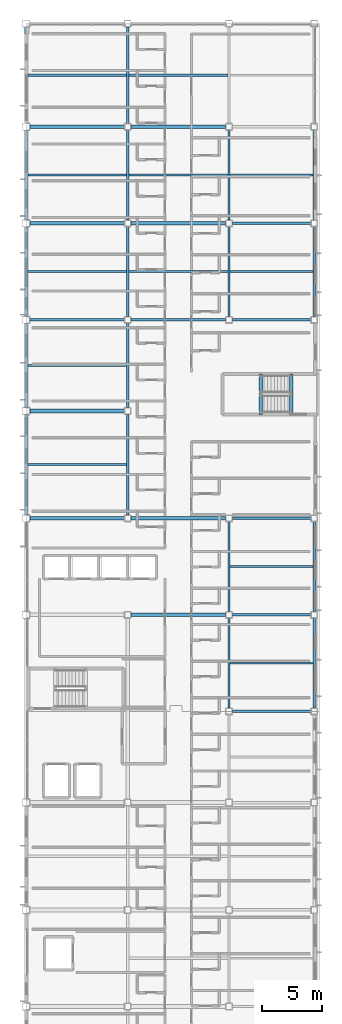
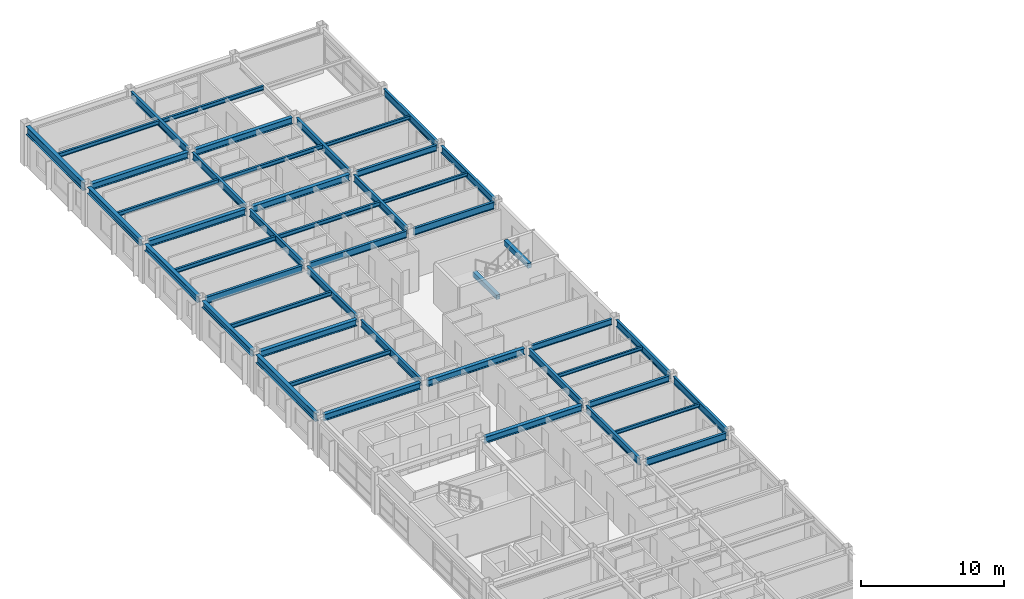
# One storey, part 17 of 38: 47 beams.
"""IFC4 building model written with IfcOpenShell, lengths in metres."""

import ifcopenshell
import ifcopenshell.guid

model = None  # the IFC model being written
_history = None  # IfcOwnerHistory: only IFC2X3 demands one
_inside = {}  # id of a spatial element -> (the spatial element, [elements in it])
_under = {}  # id of a project, library or spatial element -> (it, [spatial elements below it])
_declared = {}  # id of a project -> (the project, [libraries it declares])
_typed = {}  # id of a type object -> (the type object, [elements of that type])
_made_of = {}  # id of a material, layer set ... -> (it, [elements and type objects made of it])


def new_model(schema):
    """Start an empty IFC model of exactly this schema.

    Asked for "IFC4X3", IfcOpenShell would pick the latest addendum, in which some entities
    have other attributes; the version numbers below select the first issue.
    IFC2X3 requires an IfcOwnerHistory on every rooted entity: one is made here for all.
    """
    global model, _history
    if schema == "IFC4X3":
        model = ifcopenshell.file(schema_version=(4, 3, 0, 0))
    else:
        model = ifcopenshell.file(schema=schema)
    _inside.clear()
    _under.clear()
    _declared.clear()
    _typed.clear()
    _made_of.clear()
    _history = None
    if model.schema == "IFC2X3":
        org = make("IfcOrganization", Name="unknown")
        user = make(
            "IfcPersonAndOrganization",
            ThePerson=make("IfcPerson", FamilyName="unknown"),
            TheOrganization=org,
        )
        app = make(
            "IfcApplication",
            ApplicationDeveloper=org,
            Version="unknown",
            ApplicationFullName="unknown",
            ApplicationIdentifier="unknown",
        )
        _history = make(
            "IfcOwnerHistory",
            OwningUser=user,
            OwningApplication=app,
            ChangeAction="ADDED",
            CreationDate=0,
        )
    return model


def make(cls, **values):
    """One entity of the class cls with the attributes given. An attribute that is None is left unset."""
    return model.create_entity(
        cls, **{name: value for name, value in values.items() if value is not None}
    )


def rooted(cls, **values):
    """An entity with a GlobalId (a new one), such as an element, a storey or a relation."""
    return make(cls, GlobalId=ifcopenshell.guid.new(), OwnerHistory=_history, **values)


def si_unit(unit_type, name, prefix=None):
    """IfcSIUnit, for example si_unit("LENGTHUNIT", "METRE", prefix="MILLI")."""
    return make("IfcSIUnit", UnitType=unit_type, Prefix=prefix, Name=name)


def assignment(units):
    """IfcUnitAssignment: the units of a project."""
    return None if units is None else make("IfcUnitAssignment", Units=units)


def point(xyz):
    """IfcCartesianPoint."""
    return None if xyz is None else make("IfcCartesianPoint", Coordinates=xyz)


def direction(xyz):
    """IfcDirection."""
    return None if xyz is None else make("IfcDirection", DirectionRatios=xyz)


def frame(location, z_axis=None, x_axis=None):
    """IfcAxis2Placement3D, a coordinate frame: its origin and axes. An axis left out is left unset."""
    return make(
        "IfcAxis2Placement3D",
        Location=point(location),
        Axis=direction(z_axis),
        RefDirection=direction(x_axis),
    )


def frame_2d(location, x_axis=None):
    """IfcAxis2Placement2D, a coordinate frame in the plane: its origin and x axis."""
    return make(
        "IfcAxis2Placement2D", Location=point(location), RefDirection=direction(x_axis)
    )


def origin():
    """The frame at (0, 0, 0) with its axes left unset."""
    return frame((0.0, 0.0, 0.0))


def origin_2d():
    """The frame at (0, 0) in the plane with its x axis left unset."""
    return frame_2d((0.0, 0.0))


def place(relative_to, where):
    """IfcLocalPlacement: puts the frame where relative to a parent placement (None: the world)."""
    return make(
        "IfcLocalPlacement", PlacementRelTo=relative_to, RelativePlacement=where
    )


def context(
    kind, dimensions, precision=None, world=None, true_north=None, identifier=None
):
    """IfcGeometricRepresentationContext, for example the 3D "Model" context."""
    return make(
        "IfcGeometricRepresentationContext",
        ContextIdentifier=identifier,
        ContextType=kind,
        CoordinateSpaceDimension=dimensions,
        Precision=precision,
        WorldCoordinateSystem=world,
        TrueNorth=true_north,
    )


def subcontext(parent, identifier, kind, view, scale=None):
    """IfcGeometricRepresentationSubContext, for example "Body" below "Model"."""
    return make(
        "IfcGeometricRepresentationSubContext",
        ContextIdentifier=identifier,
        ContextType=kind,
        ParentContext=parent,
        TargetScale=scale,
        TargetView=view,
    )


def project(units=None, contexts=None):
    """IfcProject with its units and contexts."""
    return rooted(
        "IfcProject",
        Name="project",
        RepresentationContexts=contexts,
        UnitsInContext=assignment(units),
    )


def spatial(cls, under=None, at=None, **own):
    """A site, building, storey or space (cls), placed at a placement, below another one or the project."""
    s = rooted(cls, ObjectPlacement=at, **own)
    if under is not None:
        _under.setdefault(under.id(), (under, []))[1].append(s)
    return s


def profile(cls, at=None, kind="AREA", **sizes):
    """A parametric profile (cls). Its sizes go by their IFC names, for example OverallWidth=200.0."""
    return make(cls, ProfileType=kind, Position=at, **sizes)


def rectangle(**sizes):
    """IfcRectangleProfileDef."""
    return profile("IfcRectangleProfileDef", **sizes)


def i_section(**sizes):
    """IfcIShapeProfileDef."""
    return profile("IfcIShapeProfileDef", **sizes)


def extrude(swept, where, along, depth):
    """IfcExtrudedAreaSolid: the profile swept, set in the frame where, extruded along a direction by depth."""
    return make(
        "IfcExtrudedAreaSolid",
        SweptArea=swept,
        Position=where,
        ExtrudedDirection=direction(along),
        Depth=depth,
    )


def shape(context_of_items, identifier, shape_type, items):
    """IfcShapeRepresentation: the items that make up one representation, for example the "Body"."""
    return make(
        "IfcShapeRepresentation",
        ContextOfItems=context_of_items,
        RepresentationIdentifier=identifier,
        RepresentationType=shape_type,
        Items=items,
    )


def material(Name=None, Category=None):
    """IfcMaterial."""
    return make("IfcMaterial", Name=Name, Category=Category)


def material_profile(
    of_material, cross_section, Name=None, Category=None, Priority=None
):
    """IfcMaterialProfile: a cross section and its material."""
    return make(
        "IfcMaterialProfile",
        Name=Name,
        Material=of_material,
        Profile=cross_section,
        Priority=Priority,
        Category=Category,
    )


def profile_set(profiles, Name=None, composite=None):
    """IfcMaterialProfileSet."""
    return make(
        "IfcMaterialProfileSet",
        Name=Name,
        MaterialProfiles=profiles,
        CompositeProfile=composite,
    )


def made_of(thing, what):
    """Note that an element or type object is made of a material, layer set ...; save() writes the relation."""
    if what is not None:
        _made_of.setdefault(what.id(), (what, []))[1].append(thing)
    return thing


def type_object(cls, material=None, **own):
    """A type object (cls), such as IfcWallType, which elements share."""
    return made_of(rooted(cls, **own), material)


def element(
    cls,
    number,
    at=None,
    inside=None,
    cuts=None,
    type_object=None,
    material=None,
    context=None,
    identifier="Body",
    shape_type=None,
    held_by="IfcProductDefinitionShape",
    body=None,
    shapes=None,
    **own,
):
    """One element of the class cls, such as IfcWall. Its Tag is "e" and its number.

    at: its placement. inside: the storey or other place that contains it. cuts: it is an
    opening in that element (IfcRelVoidsElement). A single representation is given by context,
    identifier, shape_type and body (its items); several are given by shapes. held_by: the class
    of the entity that holds the representations. save() writes the other relations.
    """
    e = rooted(cls, Tag="e%d" % number, ObjectPlacement=at, **own)
    if body is not None:
        shapes = [shape(context, identifier, shape_type, body)]
    if shapes is not None:
        e.Representation = make(held_by, Representations=shapes)
    if inside is not None:
        _inside.setdefault(inside.id(), (inside, []))[1].append(e)
    if cuts is not None:
        rooted(
            "IfcRelVoidsElement", RelatingBuildingElement=cuts, RelatedOpeningElement=e
        )
    if type_object is not None:
        _typed.setdefault(type_object.id(), (type_object, []))[1].append(e)
    return made_of(e, material)


def aggregate(whole, parts):
    """IfcRelAggregates: a whole, such as a stair, and the parts it consists of."""
    return rooted("IfcRelAggregates", RelatingObject=whole, RelatedObjects=parts)


def save(model, path):
    """Write the relations noted so far, then the file.

    IfcRelAggregates (storeys below a building ...), IfcRelContainedInSpatialStructure (elements
    in a storey), IfcRelDefinesByType, IfcRelAssociatesMaterial and IfcRelDeclares: one each for
    every whole, place, type object, material and project.
    """
    for whole, parts in _under.values():
        aggregate(whole, parts)
    for where, things in _inside.values():
        rooted(
            "IfcRelContainedInSpatialStructure",
            RelatedElements=things,
            RelatingStructure=where,
        )
    for kind, things in _typed.values():
        rooted("IfcRelDefinesByType", RelatedObjects=things, RelatingType=kind)
    for what, things in _made_of.values():
        rooted("IfcRelAssociatesMaterial", RelatedObjects=things, RelatingMaterial=what)
    for by, libraries in _declared.values():
        rooted("IfcRelDeclares", RelatingContext=by, RelatedDefinitions=libraries)
    model.write(path)


model = new_model("IFC4")

# Units and contexts
model_context = context("Model", 3, precision=1e-05, world=origin(), true_north=direction((0.0, 1.0)))
body_context = subcontext(model_context, "Body", "Model", "MODEL_VIEW")
ifc_project = project(units=[si_unit("LENGTHUNIT", "METRE"), si_unit("AREAUNIT", "SQUARE_METRE"), si_unit("VOLUMEUNIT", "CUBIC_METRE"), si_unit("PLANEANGLEUNIT", "RADIAN"), si_unit("MASSUNIT", "GRAM", prefix="KILO")], contexts=[model_context])

# Site, building, storey
site_placement = place(None, origin())
site = spatial("IfcSite", under=ifc_project, at=site_placement, CompositionType="ELEMENT")
building_placement = place(site_placement, origin())
building = spatial("IfcBuilding", under=site, at=building_placement, Name="Kazehara Bluff Congress Hotel", CompositionType="ELEMENT")
storey_placement = place(building_placement, frame((0.0, 0.0, 24.60009765625)))
storey = spatial("IfcBuildingStorey", under=building, at=storey_placement, Name="L05", CompositionType="ELEMENT", Elevation=24.60009765625)

# Beams
ifc_material_1 = material(Name="Steel SN490B", Category="steel")
ifc_material_profile_1 = material_profile(ifc_material_1, i_section(OverallWidth=0.199951171875, OverallDepth=0.5, WebThickness=0.010009765625, FlangeThickness=0.01611328125, FilletRadius=0.012939453125, at=origin_2d()))
ifc_profile_set_1 = profile_set([ifc_material_profile_1], Name="Steel SN490B")
beam_type_1 = type_object("IfcBeamType", Name="TP-G-01", PredefinedType="BEAM", material=ifc_profile_set_1)
for number, where, z_axis, x_axis, name in (
    (1, (160.77490234375, 56.449951171875, 3.1298828125), (1.0, 0.0, 0.0), (0.0, 1.0, 0.0), "L05 girder G-01 65"),
    (2, (160.77490234375, 64.449951171875, 3.1298828125), (1.0, 0.0, 0.0), (0.0, 1.0, 0.0), "L05 girder G-01 68"),
    (3, (160.77490234375, 88.89990234375, 3.1298828125), (1.0, 0.0, 0.0), (0.0, 1.0, 0.0), "L05 girder G-01 75"),
):
    element("IfcBeam", number, at=place(storey_placement, frame(where, z_axis=z_axis, x_axis=x_axis)), inside=storey, type_object=beam_type_1, Name=name, PredefinedType="BEAM", context=body_context, shape_type="SweptSolid", body=[
        extrude(i_section(OverallWidth=0.199951171875, OverallDepth=0.5, WebThickness=0.010009765625, FlangeThickness=0.01611328125, FilletRadius=0.012939453125, at=origin_2d()), origin(), (0.0, 0.0, 1.0), 6.5),
    ])
ifc_material_2 = material(Name="Steel SN490B", Category="steel")
ifc_material_profile_2 = material_profile(ifc_material_2, i_section(OverallWidth=0.199951171875, OverallDepth=0.60009765625, WebThickness=0.010986328125, FlangeThickness=0.01708984375, FilletRadius=0.012939453125, at=origin_2d()))
ifc_profile_set_2 = profile_set([ifc_material_profile_2], Name="Steel SN490B")
beam_type_2 = type_object("IfcBeamType", Name="TP-G-02", PredefinedType="BEAM", material=ifc_profile_set_2)
beam_1_placement = place(storey_placement, frame((152.10009765625, 64.72509765625, 3.079833984375), z_axis=(0.0, 1.0, 0.0), x_axis=(-1.0, 0.0, 0.0)))
element("IfcBeam", 4, at=beam_1_placement, inside=storey, type_object=beam_type_2, Name="L05 girder G-02 19", PredefinedType="BEAM", context=body_context, shape_type="SweptSolid", body=[
    extrude(i_section(OverallWidth=0.199951171875, OverallDepth=0.60009765625, WebThickness=0.010986328125, FlangeThickness=0.01708984375, FilletRadius=0.012939453125, at=origin_2d()), origin(), (0.0, 0.0, 1.0), 8.349853515625),
])
beam_2_placement = place(storey_placement, frame((152.10009765625, 73.625, 3.079833984375), z_axis=(0.0, 1.0, 0.0), x_axis=(-1.0, 0.0, 0.0)))
element("IfcBeam", 5, at=beam_2_placement, inside=storey, type_object=beam_type_2, Name="L05 girder G-02 20", PredefinedType="BEAM", context=body_context, shape_type="SweptSolid", body=[
    extrude(i_section(OverallWidth=0.199951171875, OverallDepth=0.60009765625, WebThickness=0.010986328125, FlangeThickness=0.01708984375, FilletRadius=0.012939453125, at=origin_2d()), origin(), (0.0, 0.0, 1.0), 7.0),
])
for number, where, z_axis, x_axis, name in (
    (6, (152.10009765625, 81.175048828125, 3.079833984375), (0.0, 1.0, 0.0), (-1.0, 0.0, 0.0), "L05 girder G-02 21"),
    (7, (152.10009765625, 89.175048828125, 3.079833984375), (0.0, 1.0, 0.0), (-1.0, 0.0, 0.0), "L05 girder G-02 22"),
):
    element("IfcBeam", number, at=place(storey_placement, frame(where, z_axis=z_axis, x_axis=x_axis)), inside=storey, type_object=beam_type_2, Name=name, PredefinedType="BEAM", context=body_context, shape_type="SweptSolid", body=[
        extrude(i_section(OverallWidth=0.199951171875, OverallDepth=0.60009765625, WebThickness=0.010986328125, FlangeThickness=0.01708984375, FilletRadius=0.012939453125, at=origin_2d()), origin(), (0.0, 0.0, 1.0), 7.449951171875),
    ])
beam_3_placement = place(storey_placement, frame((152.10009765625, 97.175048828125, 3.079833984375), z_axis=(0.0, 1.0, 0.0), x_axis=(-1.0, 0.0, 0.0)))
element("IfcBeam", 8, at=beam_3_placement, inside=storey, type_object=beam_type_2, Name="L05 girder G-02 23", PredefinedType="BEAM", context=body_context, shape_type="SweptSolid", body=[
    extrude(i_section(OverallWidth=0.199951171875, OverallDepth=0.60009765625, WebThickness=0.010986328125, FlangeThickness=0.01708984375, FilletRadius=0.012939453125, at=origin_2d()), origin(), (0.0, 0.0, 1.0), 8.0),
])
for number, where, z_axis, x_axis, name in (
    (9, (160.5, 48.72509765625, 3.079833984375), (0.0, 1.0, 0.0), (-1.0, 0.0, 0.0), "L05 girder G-02 29"),
    (10, (160.5, 56.72509765625, 3.079833984375), (0.0, 1.0, 0.0), (-1.0, 0.0, 0.0), "L05 girder G-02 30"),
    (11, (160.5, 81.175048828125, 3.079833984375), (0.0, 1.0, 0.0), (-1.0, 0.0, 0.0), "L05 girder G-02 31"),
    (12, (160.5, 89.175048828125, 3.079833984375), (0.0, 1.0, 0.0), (-1.0, 0.0, 0.0), "L05 girder G-02 32"),
    (13, (167.550048828125, 48.72509765625, 3.079833984375), (0.0, 1.0, 0.0), (-1.0, 0.0, 0.0), "L05 girder G-02 39"),
    (14, (167.550048828125, 56.72509765625, 3.079833984375), (0.0, 1.0, 0.0), (-1.0, 0.0, 0.0), "L05 girder G-02 40"),
    (15, (167.550048828125, 81.175048828125, 3.079833984375), (0.0, 1.0, 0.0), (-1.0, 0.0, 0.0), "L05 girder G-02 41"),
    (16, (167.550048828125, 89.175048828125, 3.079833984375), (0.0, 1.0, 0.0), (-1.0, 0.0, 0.0), "L05 girder G-02 42"),
):
    element("IfcBeam", number, at=place(storey_placement, frame(where, z_axis=z_axis, x_axis=x_axis)), inside=storey, type_object=beam_type_2, Name=name, PredefinedType="BEAM", context=body_context, shape_type="SweptSolid", body=[
        extrude(i_section(OverallWidth=0.199951171875, OverallDepth=0.60009765625, WebThickness=0.010986328125, FlangeThickness=0.01708984375, FilletRadius=0.012939453125, at=origin_2d()), origin(), (0.0, 0.0, 1.0), 7.449951171875),
    ])
ifc_material_3 = material(Name="Steel SN490B", Category="steel")
ifc_material_profile_3 = material_profile(ifc_material_3, i_section(OverallWidth=0.300048828125, OverallDepth=0.550048828125, WebThickness=0.010986328125, FlangeThickness=0.01806640625, FilletRadius=0.012939453125, at=origin_2d()))
ifc_profile_set_3 = profile_set([ifc_material_profile_3], Name="Steel SN490B")
beam_type_3 = type_object("IfcBeamType", Name="TP-G-12", PredefinedType="BEAM", material=ifc_profile_set_3)
beam_4_placement = place(storey_placement, frame((152.375, 56.449951171875, 3.10498046875), z_axis=(1.0, 0.0, 0.0), x_axis=(0.0, 1.0, 0.0)))
element("IfcBeam", 17, at=beam_4_placement, inside=storey, type_object=beam_type_3, Name="L05 girder G-12 64", PredefinedType="BEAM", context=body_context, shape_type="SweptSolid", body=[
    extrude(i_section(OverallWidth=0.300048828125, OverallDepth=0.550048828125, WebThickness=0.010986328125, FlangeThickness=0.01806640625, FilletRadius=0.012939453125, at=origin_2d()), origin(), (0.0, 0.0, 1.0), 7.85009765625),
])
beam_5_placement = place(storey_placement, frame((144.0, 64.449951171875, 3.10498046875), z_axis=(1.0, 0.0, 0.0), x_axis=(0.0, 1.0, 0.0)))
element("IfcBeam", 18, at=beam_5_placement, inside=storey, type_object=beam_type_3, Name="L05 girder G-12 66", PredefinedType="BEAM", context=body_context, shape_type="SweptSolid", body=[
    extrude(i_section(OverallWidth=0.300048828125, OverallDepth=0.550048828125, WebThickness=0.010986328125, FlangeThickness=0.01806640625, FilletRadius=0.012939453125, at=origin_2d()), origin(), (0.0, 0.0, 1.0), 7.824951171875),
])
beam_6_placement = place(storey_placement, frame((152.375, 64.449951171875, 3.10498046875), z_axis=(1.0, 0.0, 0.0), x_axis=(0.0, 1.0, 0.0)))
element("IfcBeam", 19, at=beam_6_placement, inside=storey, type_object=beam_type_3, Name="L05 girder G-12 67", PredefinedType="BEAM", context=body_context, shape_type="SweptSolid", body=[
    extrude(i_section(OverallWidth=0.300048828125, OverallDepth=0.550048828125, WebThickness=0.010986328125, FlangeThickness=0.01806640625, FilletRadius=0.012939453125, at=origin_2d()), origin(), (0.0, 0.0, 1.0), 7.85009765625),
])
for number, where, z_axis, x_axis, name in (
    (20, (144.0, 73.35009765625, 3.10498046875), (1.0, 0.0, 0.0), (0.0, 1.0, 0.0), "L05 girder G-12 69"),
    (21, (144.0, 88.89990234375, 3.10498046875), (1.0, 0.0, 0.0), (0.0, 1.0, 0.0), "L05 girder G-12 73"),
):
    element("IfcBeam", number, at=place(storey_placement, frame(where, z_axis=z_axis, x_axis=x_axis)), inside=storey, type_object=beam_type_3, Name=name, PredefinedType="BEAM", context=body_context, shape_type="SweptSolid", body=[
        extrude(i_section(OverallWidth=0.300048828125, OverallDepth=0.550048828125, WebThickness=0.010986328125, FlangeThickness=0.01806640625, FilletRadius=0.012939453125, at=origin_2d()), origin(), (0.0, 0.0, 1.0), 7.824951171875),
    ])
beam_7_placement = place(storey_placement, frame((152.375, 88.89990234375, 3.10498046875), z_axis=(1.0, 0.0, 0.0), x_axis=(0.0, 1.0, 0.0)))
element("IfcBeam", 22, at=beam_7_placement, inside=storey, type_object=beam_type_3, Name="L05 girder G-12 74", PredefinedType="BEAM", context=body_context, shape_type="SweptSolid", body=[
    extrude(i_section(OverallWidth=0.300048828125, OverallDepth=0.550048828125, WebThickness=0.010986328125, FlangeThickness=0.01806640625, FilletRadius=0.012939453125, at=origin_2d()), origin(), (0.0, 0.0, 1.0), 7.85009765625),
])
beam_8_placement = place(storey_placement, frame((144.0, 96.89990234375, 3.10498046875), z_axis=(1.0, 0.0, 0.0), x_axis=(0.0, 1.0, 0.0)))
element("IfcBeam", 23, at=beam_8_placement, inside=storey, type_object=beam_type_3, Name="L05 girder G-12 76", PredefinedType="BEAM", context=body_context, shape_type="SweptSolid", body=[
    extrude(i_section(OverallWidth=0.300048828125, OverallDepth=0.550048828125, WebThickness=0.010986328125, FlangeThickness=0.01806640625, FilletRadius=0.012939453125, at=origin_2d()), origin(), (0.0, 0.0, 1.0), 7.824951171875),
])
beam_9_placement = place(storey_placement, frame((152.375, 96.89990234375, 3.10498046875), z_axis=(1.0, 0.0, 0.0), x_axis=(0.0, 1.0, 0.0)))
element("IfcBeam", 24, at=beam_9_placement, inside=storey, type_object=beam_type_3, Name="L05 girder G-12 77", PredefinedType="BEAM", context=body_context, shape_type="SweptSolid", body=[
    extrude(i_section(OverallWidth=0.300048828125, OverallDepth=0.550048828125, WebThickness=0.010986328125, FlangeThickness=0.01806640625, FilletRadius=0.012939453125, at=origin_2d()), origin(), (0.0, 0.0, 1.0), 7.85009765625),
])
ifc_material_4 = material(Name="Steel SN400B", Category="steel")
ifc_material_profile_4 = material_profile(ifc_material_4, i_section(OverallWidth=0.14990234375, OverallDepth=0.300048828125, WebThickness=0.006591796875, FlangeThickness=0.009033203125, FilletRadius=0.012939453125, at=origin_2d()))
ifc_profile_set_4 = profile_set([ifc_material_profile_4], Name="Steel SN400B")
beam_type_4 = type_object("IfcBeamType", Name="TP-J-01", PredefinedType="JOIST", material=ifc_profile_set_4)
for number, where, z_axis, x_axis, name in (
    (25, (160.60009765625, 52.449951171875, 3.22998046875), (1.0, 0.0, 0.0), (0.0, 1.0, 0.0), "L05 secondary joist J-01 22"),
    (26, (160.60009765625, 60.449951171875, 3.22998046875), (1.0, 0.0, 0.0), (0.0, 1.0, 0.0), "L05 secondary joist J-01 23"),
    (27, (160.60009765625, 84.89990234375, 3.22998046875), (1.0, 0.0, 0.0), (0.0, 1.0, 0.0), "L05 secondary joist J-01 24"),
    (28, (160.60009765625, 92.89990234375, 3.22998046875), (1.0, 0.0, 0.0), (0.0, 1.0, 0.0), "L05 secondary joist J-01 25"),
):
    element("IfcBeam", number, at=place(storey_placement, frame(where, z_axis=z_axis, x_axis=x_axis)), inside=storey, type_object=beam_type_4, Name=name, PredefinedType="JOIST", context=body_context, shape_type="SweptSolid", body=[
        extrude(i_section(OverallWidth=0.14990234375, OverallDepth=0.300048828125, WebThickness=0.006591796875, FlangeThickness=0.009033203125, FilletRadius=0.012939453125, at=origin_2d()), origin(), (0.0, 0.0, 1.0), 6.849853515625),
    ])
ifc_material_5 = material(Name="Steel SN400B", Category="steel")
ifc_material_profile_5 = material_profile(ifc_material_5, i_section(OverallWidth=0.175048828125, OverallDepth=0.35009765625, WebThickness=0.007080078125, FlangeThickness=0.010986328125, FilletRadius=0.012939453125, at=origin_2d()))
ifc_profile_set_5 = profile_set([ifc_material_profile_5], Name="Steel SN400B")
beam_type_5 = type_object("IfcBeamType", Name="TP-J-02", PredefinedType="JOIST", material=ifc_profile_set_5)
for number, where, z_axis, x_axis, name in (
    (29, (143.85009765625, 68.89990234375, 3.204833984375), (1.0, 0.0, 0.0), (0.0, 1.0, 0.0), "L05 secondary joist J-02 5"),
    (30, (143.85009765625, 77.125, 3.204833984375), (1.0, 0.0, 0.0), (0.0, 1.0, 0.0), "L05 secondary joist J-02 6"),
    (31, (143.85009765625, 84.89990234375, 3.204833984375), (1.0, 0.0, 0.0), (0.0, 1.0, 0.0), "L05 secondary joist J-02 7"),
    (32, (143.85009765625, 92.89990234375, 3.204833984375), (1.0, 0.0, 0.0), (0.0, 1.0, 0.0), "L05 secondary joist J-02 8"),
    (33, (143.85009765625, 101.175048828125, 3.204833984375), (1.0, 0.0, 0.0), (0.0, 1.0, 0.0), "L05 secondary joist J-02 9"),
):
    element("IfcBeam", number, at=place(storey_placement, frame(where, z_axis=z_axis, x_axis=x_axis)), inside=storey, type_object=beam_type_5, Name=name, PredefinedType="JOIST", context=body_context, shape_type="SweptSolid", body=[
        extrude(i_section(OverallWidth=0.175048828125, OverallDepth=0.35009765625, WebThickness=0.007080078125, FlangeThickness=0.010986328125, FilletRadius=0.012939453125, at=origin_2d()), origin(), (0.0, 0.0, 1.0), 8.14990234375),
    ])
for number, where, z_axis, x_axis, name in (
    (34, (152.199951171875, 84.89990234375, 3.204833984375), (1.0, 0.0, 0.0), (0.0, 1.0, 0.0), "L05 secondary joist J-02 14"),
    (35, (152.199951171875, 92.89990234375, 3.204833984375), (1.0, 0.0, 0.0), (0.0, 1.0, 0.0), "L05 secondary joist J-02 15"),
    (36, (152.199951171875, 101.175048828125, 3.204833984375), (1.0, 0.0, 0.0), (0.0, 1.0, 0.0), "L05 secondary joist J-02 16"),
):
    element("IfcBeam", number, at=place(storey_placement, frame(where, z_axis=z_axis, x_axis=x_axis)), inside=storey, type_object=beam_type_5, Name=name, PredefinedType="JOIST", context=body_context, shape_type="SweptSolid", body=[
        extrude(i_section(OverallWidth=0.175048828125, OverallDepth=0.35009765625, WebThickness=0.007080078125, FlangeThickness=0.010986328125, FilletRadius=0.012939453125, at=origin_2d()), origin(), (0.0, 0.0, 1.0), 8.199951171875),
    ])
ifc_material_6 = material(Name="Concrete C40/50", Category="concrete")
ifc_material_profile_6 = material_profile(ifc_material_6, rectangle(XDim=0.300048828125, YDim=0.39990234375, at=origin_2d()))
ifc_profile_set_6 = profile_set([ifc_material_profile_6], Name="Concrete C40/50")
beam_type_6 = type_object("IfcBeamType", Name="TP-LN-02", PredefinedType="LINTEL", material=ifc_profile_set_6)
for number, where, z_axis, x_axis, name in (
    (37, (163.1298828125, 76.425048828125, 1.419921875), (0.0, -1.0, 0.0), (1.0, 0.0, 0.0), "L05 ST-12 half-landing support beam 1"),
    (38, (165.64990234375, 76.425048828125, 3.199951171875), (0.0, -1.0, 0.0), (1.0, 0.0, 0.0), "L06 ST-12 stairwell trimmer beam"),
):
    element("IfcBeam", number, at=place(storey_placement, frame(where, z_axis=z_axis, x_axis=x_axis)), inside=storey, type_object=beam_type_6, Name=name, PredefinedType="LINTEL", context=body_context, shape_type="SweptSolid", body=[
        extrude(rectangle(XDim=0.300048828125, YDim=0.39990234375, at=origin_2d()), origin(), (0.0, 0.0, 1.0), 3.35009765625),
    ])
ifc_material_7 = material(Name="Steel SN490B", Category="steel")
ifc_material_profile_7 = material_profile(ifc_material_7, i_section(OverallWidth=0.300048828125, OverallDepth=0.550048828125, WebThickness=0.010986328125, FlangeThickness=0.01806640625, FilletRadius=0.012939453125, at=origin_2d()))
ifc_profile_set_7 = profile_set([ifc_material_profile_7], Name="Steel SN490B")
beam_type_7 = type_object("IfcBeamType", Name="TP-SP-01", PredefinedType="SPANDREL", material=ifc_profile_set_7)
beam_10_placement = place(storey_placement, frame((143.699951171875, 73.64990234375, 3.10498046875), z_axis=(0.0, 1.0, 0.0), x_axis=(-1.0, 0.0, 0.0)))
element("IfcBeam", 39, at=beam_10_placement, inside=storey, type_object=beam_type_7, Name="L05 girder SP-01 9", PredefinedType="SPANDREL", context=body_context, shape_type="SweptSolid", body=[
    extrude(i_section(OverallWidth=0.300048828125, OverallDepth=0.550048828125, WebThickness=0.010986328125, FlangeThickness=0.01806640625, FilletRadius=0.012939453125, at=origin_2d()), origin(), (0.0, 0.0, 1.0), 6.9501953125),
])
for number, where, z_axis, x_axis, name in (
    (40, (143.699951171875, 81.199951171875, 3.10498046875), (0.0, 1.0, 0.0), (-1.0, 0.0, 0.0), "L05 girder SP-01 10"),
    (41, (143.699951171875, 89.199951171875, 3.10498046875), (0.0, 1.0, 0.0), (-1.0, 0.0, 0.0), "L05 girder SP-01 11"),
):
    element("IfcBeam", number, at=place(storey_placement, frame(where, z_axis=z_axis, x_axis=x_axis)), inside=storey, type_object=beam_type_7, Name=name, PredefinedType="SPANDREL", context=body_context, shape_type="SweptSolid", body=[
        extrude(i_section(OverallWidth=0.300048828125, OverallDepth=0.550048828125, WebThickness=0.010986328125, FlangeThickness=0.01806640625, FilletRadius=0.012939453125, at=origin_2d()), origin(), (0.0, 0.0, 1.0), 7.400146484375),
    ])
ifc_material_8 = material(Name="Steel SN490B", Category="steel")
ifc_material_profile_8 = material_profile(ifc_material_8, i_section(OverallWidth=0.199951171875, OverallDepth=0.60009765625, WebThickness=0.010986328125, FlangeThickness=0.01708984375, FilletRadius=0.012939453125, at=origin_2d()))
ifc_profile_set_8 = profile_set([ifc_material_profile_8], Name="Steel SN490B")
beam_type_8 = type_object("IfcBeamType", Name="TP-SP-02", PredefinedType="SPANDREL", material=ifc_profile_set_8)
beam_11_placement = place(storey_placement, frame((160.77490234375, 48.449951171875, 3.079833984375), z_axis=(1.0, 0.0, 0.0), x_axis=(0.0, 1.0, 0.0)))
element("IfcBeam", 42, at=beam_11_placement, inside=storey, type_object=beam_type_8, Name="L05 girder SP-02 62", PredefinedType="SPANDREL", context=body_context, shape_type="SweptSolid", body=[
    extrude(i_section(OverallWidth=0.199951171875, OverallDepth=0.60009765625, WebThickness=0.010986328125, FlangeThickness=0.01708984375, FilletRadius=0.012939453125, at=origin_2d()), origin(), (0.0, 0.0, 1.0), 6.5),
])
beam_12_placement = place(storey_placement, frame((144.0, 80.89990234375, 3.079833984375), z_axis=(1.0, 0.0, 0.0), x_axis=(0.0, 1.0, 0.0)))
element("IfcBeam", 43, at=beam_12_placement, inside=storey, type_object=beam_type_8, Name="L05 girder SP-02 70", PredefinedType="SPANDREL", context=body_context, shape_type="SweptSolid", body=[
    extrude(i_section(OverallWidth=0.199951171875, OverallDepth=0.60009765625, WebThickness=0.010986328125, FlangeThickness=0.01708984375, FilletRadius=0.012939453125, at=origin_2d()), origin(), (0.0, 0.0, 1.0), 7.824951171875),
])
beam_13_placement = place(storey_placement, frame((152.375, 80.89990234375, 3.079833984375), z_axis=(1.0, 0.0, 0.0), x_axis=(0.0, 1.0, 0.0)))
element("IfcBeam", 44, at=beam_13_placement, inside=storey, type_object=beam_type_8, Name="L05 girder SP-02 71", PredefinedType="SPANDREL", context=body_context, shape_type="SweptSolid", body=[
    extrude(i_section(OverallWidth=0.199951171875, OverallDepth=0.60009765625, WebThickness=0.010986328125, FlangeThickness=0.01708984375, FilletRadius=0.012939453125, at=origin_2d()), origin(), (0.0, 0.0, 1.0), 7.85009765625),
])
beam_14_placement = place(storey_placement, frame((160.77490234375, 80.89990234375, 3.079833984375), z_axis=(1.0, 0.0, 0.0), x_axis=(0.0, 1.0, 0.0)))
element("IfcBeam", 45, at=beam_14_placement, inside=storey, type_object=beam_type_8, Name="L05 girder SP-02 72", PredefinedType="SPANDREL", context=body_context, shape_type="SweptSolid", body=[
    extrude(i_section(OverallWidth=0.199951171875, OverallDepth=0.60009765625, WebThickness=0.010986328125, FlangeThickness=0.01708984375, FilletRadius=0.012939453125, at=origin_2d()), origin(), (0.0, 0.0, 1.0), 6.5),
])
ifc_material_9 = material(Name="Steel SN490B", Category="steel")
ifc_material_profile_9 = material_profile(ifc_material_9, i_section(OverallWidth=0.300048828125, OverallDepth=0.699951171875, WebThickness=0.012939453125, FlangeThickness=0.02392578125, FilletRadius=0.01806640625, at=origin_2d()))
ifc_profile_set_9 = profile_set([ifc_material_profile_9], Name="Steel SN490B")
beam_type_9 = type_object("IfcBeamType", Name="TP-SP-03", PredefinedType="SPANDREL", material=ifc_profile_set_9)
beam_15_placement = place(storey_placement, frame((143.699951171875, 64.75, 3.02978515625), z_axis=(0.0, 1.0, 0.0), x_axis=(-1.0, 0.0, 0.0)))
element("IfcBeam", 46, at=beam_15_placement, inside=storey, type_object=beam_type_9, Name="L05 girder SP-03 8", PredefinedType="SPANDREL", context=body_context, shape_type="SweptSolid", body=[
    extrude(i_section(OverallWidth=0.300048828125, OverallDepth=0.699951171875, WebThickness=0.012939453125, FlangeThickness=0.02392578125, FilletRadius=0.01806640625, at=origin_2d()), origin(), (0.0, 0.0, 1.0), 8.300048828125),
])
beam_16_placement = place(storey_placement, frame((143.699951171875, 97.199951171875, 3.02978515625), z_axis=(0.0, 1.0, 0.0), x_axis=(-1.0, 0.0, 0.0)))
element("IfcBeam", 47, at=beam_16_placement, inside=storey, type_object=beam_type_9, Name="L05 girder SP-03 12", PredefinedType="SPANDREL", context=body_context, shape_type="SweptSolid", body=[
    extrude(i_section(OverallWidth=0.300048828125, OverallDepth=0.699951171875, WebThickness=0.012939453125, FlangeThickness=0.02392578125, FilletRadius=0.01806640625, at=origin_2d()), origin(), (0.0, 0.0, 1.0), 7.949951171875),
])

save(model, "model.ifc")
